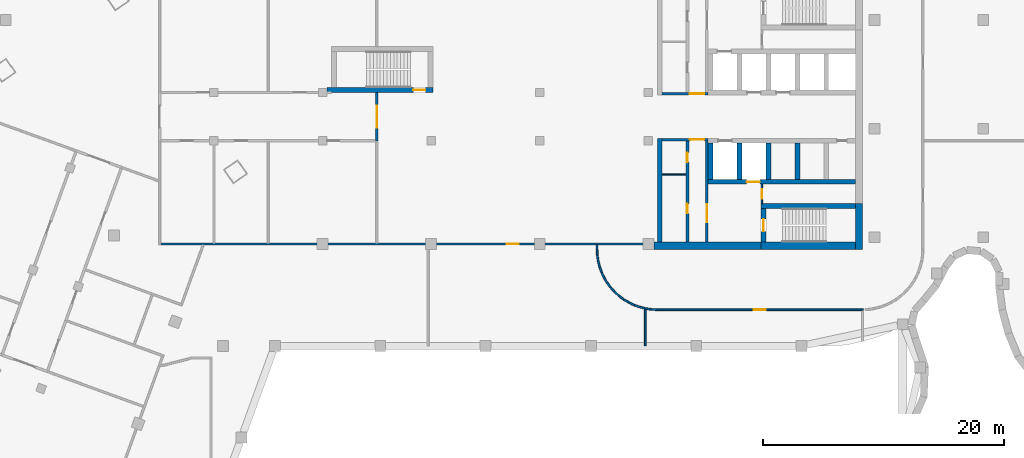
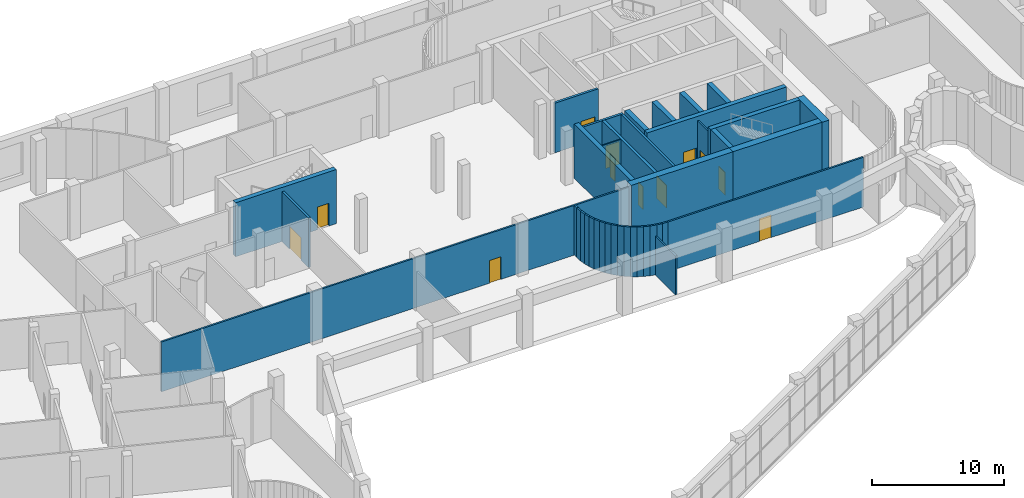
# One storey, part 14 of 25: 39 walls, 12 doors, 12 openings.
"""IFC4 building model written with IfcOpenShell, lengths in metres."""

from ifc_helpers import new_model, si_unit, direction, frame, frame_2d, origin, place, context, subcontext, project, spatial, rectangle, extrude, material, layer, layer_set, type_object, element, fill, save


model = new_model("IFC4")

# Units and contexts
model_context = context("Model", 3, precision=1e-05, world=origin(), true_north=direction((0.0, 1.0)))
body_context = subcontext(model_context, "Body", "Model", "MODEL_VIEW")
ifc_project = project(units=[si_unit("LENGTHUNIT", "METRE"), si_unit("AREAUNIT", "SQUARE_METRE"), si_unit("VOLUMEUNIT", "CUBIC_METRE"), si_unit("PLANEANGLEUNIT", "RADIAN"), si_unit("MASSUNIT", "GRAM", prefix="KILO")], contexts=[model_context])

# Site, building, storey
site_placement = place(None, origin())
site = spatial("IfcSite", under=ifc_project, at=site_placement, CompositionType="ELEMENT")
building_placement = place(site_placement, origin())
building = spatial("IfcBuilding", under=site, at=building_placement, Name="Skarvind Civic Tower", CompositionType="ELEMENT")
storey_placement = place(building_placement, frame((0.0, 0.0, 7.5)))
storey = spatial("IfcBuildingStorey", under=building, at=storey_placement, Name="L01", CompositionType="ELEMENT", Elevation=7.5)

# Wall, opening, door
ifc_material_1 = material(Name="Fire-rated masonry partition", Category="masonry")
ifc_layer_1 = layer(ifc_material_1, 0.199951171875)
ifc_layer_set_1 = layer_set([ifc_layer_1], Name="Core enclosure wall 200")
wall_type_1 = type_object("IfcWallType", Name="Core enclosure wall 200", PredefinedType="PARTITIONING", material=ifc_layer_set_1)
wall_1_placement = place(storey_placement, frame((95.199951171875, 126.10009765625, 0.0), z_axis=(0.0, 0.0, 1.0), x_axis=(-1.0, 0.0, 0.0)))
wall_1 = element("IfcWall", 1, at=wall_1_placement, inside=storey, type_object=wall_type_1, Name="Core wall C1", PredefinedType="PARTITIONING", context=body_context, shape_type="SweptSolid", body=[
    extrude(rectangle(XDim=3.800048828125, YDim=0.199951171875, at=frame_2d((1.89990234375, 0.0))), origin(), (0.0, 0.0, 1.0), 4.60009765625),
])
opening_1_placement = place(wall_1_placement, frame((0.300048828125, 0.0, 0.0)))
opening_1 = element("IfcOpeningElement", 2, at=opening_1_placement, cuts=wall_1, Name="Opening D-L01-C1-05", PredefinedType="OPENING", context=body_context, shape_type="SweptSolid", body=[
    extrude(rectangle(XDim=1.199951171875, YDim=2.10009765625, at=frame_2d((0.60009765625, 1.050048828125))), frame((0.0, 0.10986328125, 0.0), z_axis=(0.0, -1.0, 0.0), x_axis=(1.0, 0.0, 0.0)), (0.0, 0.0, 1.0), 0.219970703125),
])
ifc_material_2 = material(Name="Fire-rated steel door", Category="steel")
door_type_1 = type_object("IfcDoorType", Name="Core lobby door 1200", OperationType="NOTDEFINED", PredefinedType="DOOR", material=ifc_material_2)
door_1_placement = place(opening_1_placement, origin())
door_1 = element("IfcDoor", 3, at=door_1_placement, inside=storey, type_object=door_type_1, Name="Fire door", OperationType="DOUBLE_DOOR_SINGLE_SWING", OverallHeight=2.10009765625, OverallWidth=1.199951171875, PredefinedType="DOOR", context=body_context, shape_type="SweptSolid", body=[
    extrude(rectangle(XDim=1.199951171875, YDim=2.10009765625, at=frame_2d((0.60009765625, 1.050048828125))), frame((0.0, 0.02490234375, 0.0), z_axis=(0.0, -1.0, 0.0), x_axis=(1.0, 0.0, 0.0)), (0.0, 0.0, 1.0), 0.050048828125),
])
fill(opening_1, door_1)

wall_2_placement = place(storey_placement, frame((95.10009765625, 117.60009765625, 0.0), z_axis=(0.0, 0.0, 1.0), x_axis=(0.0, 1.0, 0.0)))
wall_2 = element("IfcWall", 4, at=wall_2_placement, inside=storey, type_object=wall_type_1, Name="Core wall C1", PredefinedType="PARTITIONING", context=body_context, shape_type="SweptSolid", body=[
    extrude(rectangle(XDim=8.39990234375, YDim=0.199951171875, at=frame_2d((4.199951171875, 0.0))), origin(), (0.0, 0.0, 1.0), 4.60009765625),
])
opening_2_placement = place(wall_2_placement, frame((1.64990234375, 0.0, 0.0)))
opening_2 = element("IfcOpeningElement", 5, at=opening_2_placement, cuts=wall_2, Name="Opening D-L01-C1-06", PredefinedType="OPENING", context=body_context, shape_type="SweptSolid", body=[
    extrude(rectangle(XDim=1.5, YDim=2.10009765625, at=frame_2d((0.75, 1.050048828125))), frame((0.0, 0.10986328125, 0.0), z_axis=(0.0, -1.0, 0.0), x_axis=(1.0, 0.0, 0.0)), (0.0, 0.0, 1.0), 0.219970703125),
])
door_type_2 = type_object("IfcDoorType", Name="Fire door 1500", OperationType="NOTDEFINED", PredefinedType="DOOR", material=ifc_material_2)
door_2_placement = place(opening_2_placement, origin())
door_2 = element("IfcDoor", 6, at=door_2_placement, inside=storey, type_object=door_type_2, Name="Fire door", OperationType="DOUBLE_DOOR_SINGLE_SWING", OverallHeight=2.10009765625, OverallWidth=1.5, PredefinedType="DOOR", context=body_context, shape_type="SweptSolid", body=[
    extrude(rectangle(XDim=1.5, YDim=2.10009765625, at=frame_2d((0.75, 1.050048828125))), frame((0.0, 0.02490234375, 0.0), z_axis=(0.0, -1.0, 0.0), x_axis=(1.0, 0.0, 0.0)), (0.0, 0.0, 1.0), 0.050048828125),
])
fill(opening_2, door_2)

wall_3_placement = place(storey_placement, frame((91.39990234375, 129.89990234375, 0.0), z_axis=(0.0, 0.0, 1.0), x_axis=(1.0, 0.0, 0.0)))
wall_3 = element("IfcWall", 7, at=wall_3_placement, inside=storey, type_object=wall_type_1, Name="Core wall C1", PredefinedType="PARTITIONING", context=body_context, shape_type="SweptSolid", body=[
    extrude(rectangle(XDim=3.800048828125, YDim=0.199951171875, at=frame_2d((1.89990234375, 0.0))), origin(), (0.0, 0.0, 1.0), 4.60009765625),
])
opening_3_placement = place(wall_3_placement, frame((2.300048828125, 0.0, 0.0)))
opening_3 = element("IfcOpeningElement", 8, at=opening_3_placement, cuts=wall_3, Name="Opening D-L01-C1-11", PredefinedType="OPENING", context=body_context, shape_type="SweptSolid", body=[
    extrude(rectangle(XDim=1.199951171875, YDim=2.10009765625, at=frame_2d((0.60009765625, 1.050048828125))), frame((0.0, 0.10986328125, 0.0), z_axis=(0.0, -1.0, 0.0), x_axis=(1.0, 0.0, 0.0)), (0.0, 0.0, 1.0), 0.219970703125),
])
door_3_placement = place(opening_3_placement, origin())
door_3 = element("IfcDoor", 9, at=door_3_placement, inside=storey, type_object=door_type_1, Name="Fire door", OperationType="DOUBLE_DOOR_SINGLE_SWING", OverallHeight=2.10009765625, OverallWidth=1.199951171875, PredefinedType="DOOR", context=body_context, shape_type="SweptSolid", body=[
    extrude(rectangle(XDim=1.199951171875, YDim=2.10009765625, at=frame_2d((0.60009765625, 1.050048828125))), frame((0.0, 0.02490234375, 0.0), z_axis=(0.0, -1.0, 0.0), x_axis=(1.0, 0.0, 0.0)), (0.0, 0.0, 1.0), 0.050048828125),
])
fill(opening_3, door_3)

# Walls
ifc_material_3 = material(Name="Fire-rated plasterboard partition")
ifc_layer_2 = layer(ifc_material_3, 0.10009765625)
ifc_layer_set_2 = layer_set([ifc_layer_2], Name="Core partition wall 100")
wall_type_2 = type_object("IfcWallType", Name="Core partition wall 100", PredefinedType="PARTITIONING", material=ifc_layer_set_2)
wall_4_placement = place(storey_placement, frame((93.35009765625, 123.199951171875, 0.0), z_axis=(0.0, 0.0, 1.0), x_axis=(-1.0, 0.0, 0.0)))
element("IfcWall", 10, at=wall_4_placement, inside=storey, type_object=wall_type_2, Name="Core wall C1", PredefinedType="PARTITIONING", context=body_context, shape_type="SweptSolid", body=[
    extrude(rectangle(XDim=1.9501953125, YDim=0.10009765625, at=frame_2d((0.97509765625, 0.0))), origin(), (0.0, 0.0, 1.0), 4.60009765625),
])
ifc_material_4 = material(Name="Concrete C80", Category="concrete")
ifc_layer_3 = layer(ifc_material_4, 0.39990234375)
ifc_layer_set_3 = layer_set([ifc_layer_3], Name="Core wall 400 C80")
wall_type_3 = type_object("IfcWallType", Name="Core wall 400 C80", PredefinedType="SHEAR", material=ifc_layer_set_3)
wall_5_placement = place(storey_placement, frame((107.39990234375, 120.60009765625, 0.0), z_axis=(0.0, 0.0, 1.0), x_axis=(-1.0, 0.0, 0.0)))
element("IfcWall", 11, at=wall_5_placement, inside=storey, type_object=wall_type_3, Name="Core wall C1 north stair inner L01", PredefinedType="SHEAR", context=body_context, shape_type="SweptSolid", body=[
    extrude(rectangle(XDim=7.7998046875, YDim=0.39990234375, at=frame_2d((3.89990234375, 0.0))), origin(), (0.0, 0.0, 1.0), 5.0),
])

# Wall, opening, door
wall_6_placement = place(storey_placement, frame((99.800048828125, 120.39990234375, 0.0), z_axis=(0.0, 0.0, 1.0), x_axis=(0.0, -1.0, 0.0)))
wall_6 = element("IfcWall", 12, at=wall_6_placement, inside=storey, type_object=wall_type_3, Name="Core wall C1 north stair end L01", PredefinedType="SHEAR", context=body_context, shape_type="SweptSolid", body=[
    extrude(rectangle(XDim=2.7998046875, YDim=0.39990234375, at=frame_2d((1.39990234375, 0.0))), origin(), (0.0, 0.0, 1.0), 5.0),
])
opening_4_placement = place(wall_6_placement, frame((0.89990234375, 0.0, 0.0)))
opening_4 = element("IfcOpeningElement", 13, at=opening_4_placement, cuts=wall_6, Name="Opening D-L01-C1-07", PredefinedType="OPENING", context=body_context, shape_type="SweptSolid", body=[
    extrude(rectangle(XDim=1.0, YDim=2.10009765625, at=frame_2d((0.5, 1.050048828125))), frame((0.0, 0.2099609375, 0.0), z_axis=(0.0, -1.0, 0.0), x_axis=(1.0, 0.0, 0.0)), (0.0, 0.0, 1.0), 0.419921875),
])
door_type_3 = type_object("IfcDoorType", Name="Fire door 1000", OperationType="NOTDEFINED", PredefinedType="DOOR", material=ifc_material_2)
door_4_placement = place(opening_4_placement, origin())
door_4 = element("IfcDoor", 14, at=door_4_placement, inside=storey, type_object=door_type_3, Name="Fire door", OperationType="SINGLE_SWING_LEFT", OverallHeight=2.10009765625, OverallWidth=1.0, PredefinedType="DOOR", context=body_context, shape_type="SweptSolid", body=[
    extrude(rectangle(XDim=1.0, YDim=2.10009765625, at=frame_2d((0.5, 1.050048828125))), frame((0.0, 0.02490234375, 0.0), z_axis=(0.0, -1.0, 0.0), x_axis=(1.0, 0.0, 0.0)), (0.0, 0.0, 1.0), 0.050048828125),
])
fill(opening_4, door_4)

wall_7_placement = place(storey_placement, frame((107.39990234375, 122.60009765625, 0.0), z_axis=(0.0, 0.0, 1.0), x_axis=(-1.0, 0.0, 0.0)))
wall_7 = element("IfcWall", 15, at=wall_7_placement, inside=storey, type_object=wall_type_3, Name="Core wall C1 north lift row back L01", PredefinedType="SHEAR", context=body_context, shape_type="SweptSolid", body=[
    extrude(rectangle(XDim=12.199951171875, YDim=0.39990234375, at=frame_2d((6.10009765625, 0.0))), origin(), (0.0, 0.0, 1.0), 5.0),
])
opening_5_placement = place(wall_7_placement, frame((7.89990234375, 0.0, 0.0)))
opening_5 = element("IfcOpeningElement", 16, at=opening_5_placement, cuts=wall_7, Name="Opening LD03104", PredefinedType="OPENING", context=body_context, shape_type="SweptSolid", body=[
    extrude(rectangle(XDim=1.10009765625, YDim=2.10009765625, at=frame_2d((0.550048828125, 1.050048828125))), frame((0.0, 0.2099609375, 0.0), z_axis=(0.0, -1.0, 0.0), x_axis=(1.0, 0.0, 0.0)), (0.0, 0.0, 1.0), 0.419921875),
])
ifc_material_5 = material(Name="Stainless steel landing door", Category="steel")
door_type_4 = type_object("IfcDoorType", Name="Lift landing door 1100", OperationType="DOUBLE_DOOR_SLIDING", PredefinedType="DOOR", material=ifc_material_5)
door_5_placement = place(opening_5_placement, origin())
door_5 = element("IfcDoor", 17, at=door_5_placement, inside=storey, type_object=door_type_4, Name="Lift landing door", OperationType="DOUBLE_DOOR_SLIDING", OverallHeight=2.10009765625, OverallWidth=1.10009765625, PredefinedType="DOOR", context=body_context, shape_type="SweptSolid", body=[
    extrude(rectangle(XDim=1.10009765625, YDim=2.10009765625, at=frame_2d((0.550048828125, 1.050048828125))), frame((0.0, 0.02490234375, 0.0), z_axis=(0.0, -1.0, 0.0), x_axis=(1.0, 0.0, 0.0)), (0.0, 0.0, 1.0), 0.050048828125),
])
fill(opening_5, door_5)

# Walls
for number, where, z_axis, x_axis, name in (
    (18, (102.60009765625, 125.800048828125, 0.0), (0.0, 0.0, 1.0), (0.0, -1.0, 0.0), "Core wall C1 north lift row division 2 L01"),
    (19, (100.199951171875, 125.800048828125, 0.0), (0.0, 0.0, 1.0), (0.0, -1.0, 0.0), "Core wall C1 north lift row division 3 L01"),
    (20, (97.800048828125, 125.800048828125, 0.0), (0.0, 0.0, 1.0), (0.0, -1.0, 0.0), "Core wall C1 north lift row division 4 L01"),
    (21, (95.39990234375, 125.800048828125, 0.0), (0.0, 0.0, 1.0), (0.0, -1.0, 0.0), "Core wall C1 north lift row division 5 L01"),
):
    element("IfcWall", number, at=place(storey_placement, frame(where, z_axis=z_axis, x_axis=x_axis)), inside=storey, type_object=wall_type_3, Name=name, PredefinedType="SHEAR", context=body_context, shape_type="SweptSolid", body=[
        extrude(rectangle(XDim=3.0, YDim=0.39990234375, at=frame_2d((1.5, 0.0))), origin(), (0.0, 0.0, 1.0), 5.0),
    ])
wall_8_placement = place(storey_placement, frame((91.199951171875, 126.199951171875, 0.0), z_axis=(0.0, 0.0, 1.0), x_axis=(0.0, -1.0, 0.0)))
element("IfcWall", 22, at=wall_8_placement, inside=storey, type_object=wall_type_3, Name="Core wall C1 north inner face L01", PredefinedType="SHEAR", context=body_context, shape_type="SweptSolid", body=[
    extrude(rectangle(XDim=8.599853515625, YDim=0.39990234375, at=frame_2d((4.2998046875, 0.0))), origin(), (0.0, 0.0, 1.0), 5.0),
])

# Wall, opening, door
wall_9_placement = place(storey_placement, frame((63.60009765625, 130.199951171875, 0.0), z_axis=(0.0, 0.0, 1.0), x_axis=(1.0, 0.0, 0.0)))
wall_9 = element("IfcWall", 23, at=wall_9_placement, inside=storey, type_object=wall_type_3, Name="Core wall CM inner L01", PredefinedType="SHEAR", context=body_context, shape_type="SweptSolid", body=[
    extrude(rectangle(XDim=8.7998046875, YDim=0.39990234375, at=frame_2d((4.39990234375, 0.0))), origin(), (0.0, 0.0, 1.0), 5.0),
])
opening_6_placement = place(wall_9_placement, frame((7.175048828125, 0.0, 0.0)))
opening_6 = element("IfcOpeningElement", 24, at=opening_6_placement, cuts=wall_9, Name="Opening D-L01-CM-01", PredefinedType="OPENING", context=body_context, shape_type="SweptSolid", body=[
    extrude(rectangle(XDim=1.0, YDim=2.10009765625, at=frame_2d((0.5, 1.050048828125))), frame((0.0, 0.2099609375, 0.0), z_axis=(0.0, -1.0, 0.0), x_axis=(1.0, 0.0, 0.0)), (0.0, 0.0, 1.0), 0.419921875),
])
door_6_placement = place(opening_6_placement, origin())
door_6 = element("IfcDoor", 25, at=door_6_placement, inside=storey, type_object=door_type_3, Name="Fire door", OperationType="SINGLE_SWING_LEFT", OverallHeight=2.10009765625, OverallWidth=1.0, PredefinedType="DOOR", context=body_context, shape_type="SweptSolid", body=[
    extrude(rectangle(XDim=1.0, YDim=2.10009765625, at=frame_2d((0.5, 1.050048828125))), frame((0.0, 0.02490234375, 0.0), z_axis=(0.0, -1.0, 0.0), x_axis=(1.0, 0.0, 0.0)), (0.0, 0.0, 1.0), 0.050048828125),
])
fill(opening_6, door_6)

# Walls
ifc_layer_4 = layer(ifc_material_4, 0.60009765625)
ifc_layer_set_4 = layer_set([ifc_layer_4], Name="Core wall 600 C80")
wall_type_4 = type_object("IfcWallType", Name="Core wall 600 C80", PredefinedType="SHEAR", material=ifc_layer_set_4)
wall_10_placement = place(storey_placement, frame((107.699951171875, 120.800048828125, 0.0), z_axis=(0.0, 0.0, 1.0), x_axis=(0.0, -1.0, 0.0)))
element("IfcWall", 26, at=wall_10_placement, inside=storey, type_object=wall_type_4, Name="Core wall C1 tip at the north stair L01", PredefinedType="SHEAR", context=body_context, shape_type="SweptSolid", body=[
    extrude(rectangle(XDim=3.800048828125, YDim=0.60009765625, at=frame_2d((1.89990234375, 0.0))), origin(), (0.0, 0.0, 1.0), 5.0),
])
wall_11_placement = place(storey_placement, frame((107.39990234375, 117.300048828125, 0.0), z_axis=(0.0, 0.0, 1.0), x_axis=(-1.0, 0.0, 0.0)))
element("IfcWall", 27, at=wall_11_placement, inside=storey, type_object=wall_type_4, Name="Core wall C1 north side at the stair L01", PredefinedType="SHEAR", context=body_context, shape_type="SweptSolid", body=[
    extrude(rectangle(XDim=7.7998046875, YDim=0.60009765625, at=frame_2d((3.89990234375, 0.0))), origin(), (0.0, 0.0, 1.0), 5.0),
])
wall_12_placement = place(storey_placement, frame((99.60009765625, 117.300048828125, 0.0), z_axis=(0.0, 0.0, 1.0), x_axis=(-1.0, 0.0, 0.0)))
element("IfcWall", 28, at=wall_12_placement, inside=storey, type_object=wall_type_4, Name="Core wall C1 north side L01", PredefinedType="SHEAR", context=body_context, shape_type="SweptSolid", body=[
    extrude(rectangle(XDim=8.900146484375, YDim=0.60009765625, at=frame_2d((4.4501953125, 0.0))), origin(), (0.0, 0.0, 1.0), 5.0),
])

# Wall, opening, door
ifc_material_6 = material(Name="Fire-rated blockwork wall, plastered", Category="masonry")
ifc_layer_5 = layer(ifc_material_6, 0.199951171875)
ifc_layer_set_5 = layer_set([ifc_layer_5], Name="FIRE WALL 200 EI 60")
wall_type_5 = type_object("IfcWallType", Name="FIRE WALL 200 EI 60", PredefinedType="PARTITIONING", material=ifc_layer_set_5)
wall_13_placement = place(storey_placement, frame((67.75, 130.0, 0.0), z_axis=(0.0, 0.0, 1.0), x_axis=(0.0, -1.0, 0.0)))
wall_13 = element("IfcWall", 29, at=wall_13_placement, inside=storey, type_object=wall_type_5, Name="Podium partition L01 118", PredefinedType="PARTITIONING", context=body_context, shape_type="SweptSolid", body=[
    extrude(rectangle(XDim=4.0, YDim=0.199951171875, at=frame_2d((2.0, 0.0))), origin(), (0.0, 0.0, 1.0), 4.60009765625),
])
opening_7_placement = place(wall_13_placement, frame((1.10009765625, 0.0, 0.0)))
opening_7 = element("IfcOpeningElement", 30, at=opening_7_placement, cuts=wall_13, Name="Opening L01-D220", PredefinedType="OPENING", context=body_context, shape_type="SweptSolid", body=[
    extrude(rectangle(XDim=1.800048828125, YDim=2.10009765625, at=frame_2d((0.89990234375, 1.050048828125))), frame((0.0, 0.10986328125, 0.0), z_axis=(0.0, -1.0, 0.0), x_axis=(1.0, 0.0, 0.0)), (0.0, 0.0, 1.0), 0.219970703125),
])
ifc_material_7 = material(Name="Painted steel fire door leaf", Category="steel")
door_type_5 = type_object("IfcDoorType", Name="FIRE DOOR 1800X2100 DOUBLE STEEL", OperationType="NOTDEFINED", PredefinedType="DOOR", material=ifc_material_7)
door_7_placement = place(opening_7_placement, origin())
door_7 = element("IfcDoor", 31, at=door_7_placement, inside=storey, type_object=door_type_5, Name="FIRE DOOR", OperationType="DOUBLE_DOOR_SINGLE_SWING", OverallHeight=2.10009765625, OverallWidth=1.800048828125, PredefinedType="DOOR", context=body_context, shape_type="SweptSolid", body=[
    extrude(rectangle(XDim=1.800048828125, YDim=2.10009765625, at=frame_2d((0.89990234375, 1.050048828125))), frame((0.0, 0.02490234375, 0.0), z_axis=(0.0, -1.0, 0.0), x_axis=(1.0, 0.0, 0.0)), (0.0, 0.0, 1.0), 0.050048828125),
])
fill(opening_7, door_7)

ifc_material_8 = material(Name="Plasterboard partition on steel studs", Category="steel")
ifc_layer_6 = layer(ifc_material_8, 0.14990234375)
ifc_layer_set_6 = layer_set([ifc_layer_6], Name="PARTITION 150")
wall_type_6 = type_object("IfcWallType", Name="PARTITION 150", PredefinedType="PARTITIONING", material=ifc_layer_set_6)
wall_14_placement = place(storey_placement, frame((91.0, 117.449951171875, 0.0), z_axis=(0.0, 0.0, 1.0), x_axis=(-1.0, 0.0, 0.0)))
wall_14 = element("IfcWall", 32, at=wall_14_placement, inside=storey, type_object=wall_type_6, Name="Podium partition L01 089", PredefinedType="PARTITIONING", context=body_context, shape_type="SweptSolid", body=[
    extrude(rectangle(XDim=41.175048828125, YDim=0.14990234375, at=frame_2d((20.58740234375, 0.0))), origin(), (0.0, 0.0, 1.0), 4.60009765625),
])
opening_8_placement = place(wall_14_placement, frame((11.5, 0.0, 0.0)))
opening_8 = element("IfcOpeningElement", 33, at=opening_8_placement, cuts=wall_14, Name="Opening L01-D221", PredefinedType="OPENING", context=body_context, shape_type="SweptSolid", body=[
    extrude(rectangle(XDim=1.0, YDim=2.10009765625, at=frame_2d((0.5, 1.050048828125))), frame((0.0, 0.0849609375, 0.0), z_axis=(0.0, -1.0, 0.0), x_axis=(1.0, 0.0, 0.0)), (0.0, 0.0, 1.0), 0.169921875),
])
ifc_material_9 = material(Name="Timber veneer door leaf", Category="wood")
door_type_6 = type_object("IfcDoorType", Name="DOOR 1000X2100 TIMBER", OperationType="NOTDEFINED", PredefinedType="DOOR", material=ifc_material_9)
door_8_placement = place(opening_8_placement, origin())
door_8 = element("IfcDoor", 34, at=door_8_placement, inside=storey, type_object=door_type_6, Name="DOOR DOOR", OperationType="SINGLE_SWING_RIGHT", OverallHeight=2.10009765625, OverallWidth=1.0, PredefinedType="DOOR", context=body_context, shape_type="SweptSolid", body=[
    extrude(rectangle(XDim=1.0, YDim=2.10009765625, at=frame_2d((0.5, 1.050048828125))), frame((0.0, 0.02490234375, 0.0), z_axis=(0.0, -1.0, 0.0), x_axis=(1.0, 0.0, 0.0)), (0.0, 0.0, 1.0), 0.050048828125),
])
fill(opening_8, door_8)

# Walls
wall_15_placement = place(storey_placement, frame((86.0, 116.998046875, 0.0), z_axis=(0.0, 0.0, 1.0), x_axis=(0.0, 1.0, 0.0)))
element("IfcWall", 35, at=wall_15_placement, inside=storey, type_object=wall_type_6, Name="Podium partition L01 128", PredefinedType="PARTITIONING", context=body_context, shape_type="SweptSolid", body=[
    extrude(rectangle(XDim=0.376953125, YDim=0.14990234375, at=frame_2d((0.1884765625, 0.0))), origin(), (0.0, 0.0, 1.0), 4.60009765625),
])
wall_16_placement = place(storey_placement, frame((86.0, 117.001953125, 0.0), z_axis=(0.0, 0.0, 1.0), x_axis=(0.048196018647, -0.998837896651, 0.0)))
element("IfcWall", 36, at=wall_16_placement, inside=storey, type_object=wall_type_6, Name="Podium partition L01 129", PredefinedType="PARTITIONING", context=body_context, shape_type="SweptSolid", body=[
    extrude(rectangle(XDim=0.496337890625, YDim=0.14990234375, at=frame_2d((0.248046875, 0.0))), origin(), (0.0, 0.0, 1.0), 4.60009765625),
])
wall_17_placement = place(storey_placement, frame((86.02294921875, 116.513916015625, 0.0), z_axis=(0.0, 0.0, 1.0), x_axis=(0.148412307247, -0.988925572052, 0.0)))
element("IfcWall", 37, at=wall_17_placement, inside=storey, type_object=wall_type_6, Name="Podium partition L01 132", PredefinedType="PARTITIONING", context=body_context, shape_type="SweptSolid", body=[
    extrude(rectangle(XDim=0.49853515625, YDim=0.14990234375, at=frame_2d((0.249267578125, 0.0))), origin(), (0.0, 0.0, 1.0), 4.60009765625),
])
wall_18_placement = place(storey_placement, frame((86.094970703125, 116.029052734375, 0.0), z_axis=(0.0, 0.0, 1.0), x_axis=(0.242650732785, -0.970113715952, 0.0)))
element("IfcWall", 38, at=wall_18_placement, inside=storey, type_object=wall_type_6, Name="Podium partition L01 134", PredefinedType="PARTITIONING", context=body_context, shape_type="SweptSolid", body=[
    extrude(rectangle(XDim=0.4990234375, YDim=0.14990234375, at=frame_2d((0.24951171875, 0.0))), origin(), (0.0, 0.0, 1.0), 4.60009765625),
])
for number, where, z_axis, x_axis, name in (
    (39, (86.214111328125, 115.552978515625, 0.0), (0.0, 0.0, 1.0), (0.3371744988, -0.941442168887, 0.0), "Podium partition L01 136"),
    (40, (86.37890625, 115.090087890625, 0.0), (0.0, 0.0, 1.0), (0.427896709028, -0.903827641978, 0.0), "Podium partition L01 138"),
):
    element("IfcWall", number, at=place(storey_placement, frame(where, z_axis=z_axis, x_axis=x_axis)), inside=storey, type_object=wall_type_6, Name=name, PredefinedType="PARTITIONING", context=body_context, shape_type="SweptSolid", body=[
        extrude(rectangle(XDim=0.498046875, YDim=0.14990234375, at=frame_2d((0.2490234375, 0.0))), origin(), (0.0, 0.0, 1.0), 4.60009765625),
    ])
wall_19_placement = place(storey_placement, frame((86.587890625, 114.64599609375, 0.0), z_axis=(0.0, 0.0, 1.0), x_axis=(0.515791778052, -0.85671397893, 0.0)))
element("IfcWall", 41, at=wall_19_placement, inside=storey, type_object=wall_type_6, Name="Podium partition L01 140", PredefinedType="PARTITIONING", context=body_context, shape_type="SweptSolid", body=[
    extrude(rectangle(XDim=0.49853515625, YDim=0.14990234375, at=frame_2d((0.249267578125, 0.0))), origin(), (0.0, 0.0, 1.0), 4.60009765625),
])
wall_20_placement = place(storey_placement, frame((86.841064453125, 114.22509765625, 0.0), z_axis=(0.0, 0.0, 1.0), x_axis=(0.594570362092, -0.80404358372, 0.0)))
element("IfcWall", 42, at=wall_20_placement, inside=storey, type_object=wall_type_6, Name="Podium partition L01 142", PredefinedType="PARTITIONING", context=body_context, shape_type="SweptSolid", body=[
    extrude(rectangle(XDim=0.49755859375, YDim=0.14990234375, at=frame_2d((0.248779296875, 0.0))), origin(), (0.0, 0.0, 1.0), 4.60009765625),
])
for number, where, z_axis, x_axis, name in (
    (43, (87.133056640625, 113.8310546875, 0.0), (0.0, 0.0, 1.0), (0.66993818776, -0.742416880587, 0.0), "Podium partition L01 144"),
    (44, (87.4609375, 113.467041015625, 0.0), (0.0, 0.0, 1.0), (0.742416880587, -0.66993818776, 0.0), "Podium partition L01 146"),
):
    element("IfcWall", number, at=place(storey_placement, frame(where, z_axis=z_axis, x_axis=x_axis)), inside=storey, type_object=wall_type_6, Name=name, PredefinedType="PARTITIONING", context=body_context, shape_type="SweptSolid", body=[
        extrude(rectangle(XDim=0.49853515625, YDim=0.14990234375, at=frame_2d((0.249267578125, 0.0))), origin(), (0.0, 0.0, 1.0), 4.60009765625),
    ])
wall_21_placement = place(storey_placement, frame((87.824951171875, 113.136962890625, 0.0), z_axis=(0.0, 0.0, 1.0), x_axis=(0.80404358372, -0.594570362092, 0.0)))
element("IfcWall", 45, at=wall_21_placement, inside=storey, type_object=wall_type_6, Name="Podium partition L01 148", PredefinedType="PARTITIONING", context=body_context, shape_type="SweptSolid", body=[
    extrude(rectangle(XDim=0.49755859375, YDim=0.14990234375, at=frame_2d((0.248779296875, 0.0))), origin(), (0.0, 0.0, 1.0), 4.60009765625),
])
wall_22_placement = place(storey_placement, frame((88.218994140625, 112.844970703125, 0.0), z_axis=(0.0, 0.0, 1.0), x_axis=(0.85671397893, -0.515791778052, 0.0)))
element("IfcWall", 46, at=wall_22_placement, inside=storey, type_object=wall_type_6, Name="Podium partition L01 150", PredefinedType="PARTITIONING", context=body_context, shape_type="SweptSolid", body=[
    extrude(rectangle(XDim=0.49853515625, YDim=0.14990234375, at=frame_2d((0.249267578125, 0.0))), origin(), (0.0, 0.0, 1.0), 4.60009765625),
])
for number, where, z_axis, x_axis, name in (
    (47, (88.639892578125, 112.592041015625, 0.0), (0.0, 0.0, 1.0), (0.903827641978, -0.427896709028, 0.0), "Podium partition L01 152"),
    (48, (89.083984375, 112.382080078125, 0.0), (0.0, 0.0, 1.0), (0.941442168887, -0.3371744988, 0.0), "Podium partition L01 154"),
):
    element("IfcWall", number, at=place(storey_placement, frame(where, z_axis=z_axis, x_axis=x_axis)), inside=storey, type_object=wall_type_6, Name=name, PredefinedType="PARTITIONING", context=body_context, shape_type="SweptSolid", body=[
        extrude(rectangle(XDim=0.498046875, YDim=0.14990234375, at=frame_2d((0.2490234375, 0.0))), origin(), (0.0, 0.0, 1.0), 4.60009765625),
    ])
wall_23_placement = place(storey_placement, frame((89.544921875, 112.216064453125, 0.0), z_axis=(0.0, 0.0, 1.0), x_axis=(0.970116111764, -0.242641154168, 0.0)))
element("IfcWall", 49, at=wall_23_placement, inside=storey, type_object=wall_type_6, Name="Podium partition L01 156", PredefinedType="PARTITIONING", context=body_context, shape_type="SweptSolid", body=[
    extrude(rectangle(XDim=0.54443359375, YDim=0.14990234375, at=frame_2d((0.272216796875, 0.0))), origin(), (0.0, 0.0, 1.0), 4.60009765625),
])
wall_24_placement = place(storey_placement, frame((90.0, 109.0, 0.0), z_axis=(0.0, 0.0, 1.0), x_axis=(0.0, 1.0, 0.0)))
element("IfcWall", 50, at=wall_24_placement, inside=storey, type_object=wall_type_6, Name="Podium partition L01 158", PredefinedType="PARTITIONING", context=body_context, shape_type="SweptSolid", body=[
    extrude(rectangle(XDim=3.02490234375, YDim=0.14990234375, at=frame_2d((1.512451171875, 0.0))), origin(), (0.0, 0.0, 1.0), 3.60009765625),
])
wall_25_placement = place(storey_placement, frame((90.02490234375, 112.095947265625, 0.0), z_axis=(0.0, 0.0, 1.0), x_axis=(0.989041138834, -0.147640189971, 0.0)))
element("IfcWall", 51, at=wall_25_placement, inside=storey, type_object=wall_type_6, Name="Podium partition L01 160", PredefinedType="PARTITIONING", context=body_context, shape_type="SweptSolid", body=[
    extrude(rectangle(XDim=0.494384765625, YDim=0.14990234375, at=frame_2d((0.2470703125, 0.0))), origin(), (0.0, 0.0, 1.0), 4.60009765625),
])
wall_26_placement = place(storey_placement, frame((90.506103515625, 112.02392578125, 0.0), z_axis=(0.0, 0.0, 1.0), x_axis=(0.998837896651, -0.048196018647, 0.0)))
element("IfcWall", 52, at=wall_26_placement, inside=storey, type_object=wall_type_6, Name="Podium partition L01 161", PredefinedType="PARTITIONING", context=body_context, shape_type="SweptSolid", body=[
    extrude(rectangle(XDim=0.496337890625, YDim=0.14990234375, at=frame_2d((0.248046875, 0.0))), origin(), (0.0, 0.0, 1.0), 4.60009765625),
])

# Wall, opening, door
wall_27_placement = place(storey_placement, frame((108.074951171875, 112.0, 0.0), z_axis=(0.0, 0.0, 1.0), x_axis=(-1.0, 0.0, 0.0)))
wall_27 = element("IfcWall", 53, at=wall_27_placement, inside=storey, type_object=wall_type_6, Name="Podium partition L01 162", PredefinedType="PARTITIONING", context=body_context, shape_type="SweptSolid", body=[
    extrude(rectangle(XDim=17.076904296875, YDim=0.14990234375, at=frame_2d((8.53857421875, 0.0))), origin(), (0.0, 0.0, 1.0), 4.60009765625),
])
opening_9_placement = place(wall_27_placement, frame((8.074951171875, 0.0, 0.0)))
opening_9 = element("IfcOpeningElement", 54, at=opening_9_placement, cuts=wall_27, Name="Opening L01-D224", PredefinedType="OPENING", context=body_context, shape_type="SweptSolid", body=[
    extrude(rectangle(XDim=1.0, YDim=2.10009765625, at=frame_2d((0.5, 1.050048828125))), frame((0.0, 0.0849609375, 0.0), z_axis=(0.0, -1.0, 0.0), x_axis=(1.0, 0.0, 0.0)), (0.0, 0.0, 1.0), 0.169921875),
])
door_9_placement = place(opening_9_placement, origin())
door_9 = element("IfcDoor", 55, at=door_9_placement, inside=storey, type_object=door_type_6, Name="DOOR DOOR", OperationType="SINGLE_SWING_RIGHT", OverallHeight=2.10009765625, OverallWidth=1.0, PredefinedType="DOOR", context=body_context, shape_type="SweptSolid", body=[
    extrude(rectangle(XDim=1.0, YDim=2.10009765625, at=frame_2d((0.5, 1.050048828125))), frame((0.0, 0.02490234375, 0.0), z_axis=(0.0, -1.0, 0.0), x_axis=(1.0, 0.0, 0.0)), (0.0, 0.0, 1.0), 0.050048828125),
])
fill(opening_9, door_9)

ifc_layer_7 = layer(ifc_material_1, 0.125)
ifc_layer_set_7 = layer_set([ifc_layer_7], Name="Riser wall 125")
wall_type_7 = type_object("IfcWallType", Name="Riser wall 125", PredefinedType="PARTITIONING", material=ifc_layer_set_7)
wall_28_placement = place(storey_placement, frame((99.66259765625, 120.800048828125, 0.0), z_axis=(0.0, 0.0, 1.0), x_axis=(0.0, 1.0, 0.0)))
wall_28 = element("IfcWall", 56, at=wall_28_placement, inside=storey, type_object=wall_type_7, Name="Core wall C1", PredefinedType="PARTITIONING", context=body_context, shape_type="SweptSolid", body=[
    extrude(rectangle(XDim=1.599853515625, YDim=0.125, at=frame_2d((0.7998046875, 0.0))), origin(), (0.0, 0.0, 1.0), 4.60009765625),
])
opening_10_placement = place(wall_28_placement, frame((0.39990234375, 0.0, 0.0)))
opening_10 = element("IfcOpeningElement", 57, at=opening_10_placement, cuts=wall_28, Name="Opening D-L01-C1-08", PredefinedType="OPENING", context=body_context, shape_type="SweptSolid", body=[
    extrude(rectangle(XDim=0.800048828125, YDim=2.10009765625, at=frame_2d((0.39990234375, 1.050048828125))), frame((0.0, 0.072509765625, 0.0), z_axis=(0.0, -1.0, 0.0), x_axis=(1.0, 0.0, 0.0)), (0.0, 0.0, 1.0), 0.14501953125),
])
door_type_7 = type_object("IfcDoorType", Name="Core riser door 800", OperationType="NOTDEFINED", PredefinedType="DOOR", material=ifc_material_2)
door_10_placement = place(opening_10_placement, origin())
door_10 = element("IfcDoor", 58, at=door_10_placement, inside=storey, type_object=door_type_7, Name="Riser door", OperationType="SINGLE_SWING_RIGHT", OverallHeight=2.10009765625, OverallWidth=0.800048828125, PredefinedType="DOOR", context=body_context, shape_type="SweptSolid", body=[
    extrude(rectangle(XDim=0.800048828125, YDim=2.10009765625, at=frame_2d((0.39990234375, 1.050048828125))), frame((0.0, 0.02490234375, 0.0), z_axis=(0.0, -1.0, 0.0), x_axis=(1.0, 0.0, 0.0)), (0.0, 0.0, 1.0), 0.050048828125),
])
fill(opening_10, door_10)

# Wall, openings, doors
ifc_layer_8 = layer(ifc_material_1, 0.25)
ifc_layer_set_8 = layer_set([ifc_layer_8], Name="Service block wall 250")
wall_type_8 = type_object("IfcWallType", Name="Service block wall 250", PredefinedType="PARTITIONING", material=ifc_layer_set_8)
wall_29_placement = place(storey_placement, frame((93.47509765625, 117.60009765625, 0.0), z_axis=(0.0, 0.0, 1.0), x_axis=(0.0, 1.0, 0.0)))
wall_29 = element("IfcWall", 59, at=wall_29_placement, inside=storey, type_object=wall_type_8, Name="Core wall C1", PredefinedType="PARTITIONING", context=body_context, shape_type="SweptSolid", body=[
    extrude(rectangle(XDim=8.39990234375, YDim=0.25, at=frame_2d((4.199951171875, 0.0))), origin(), (0.0, 0.0, 1.0), 4.60009765625),
])
opening_11_placement = place(wall_29_placement, frame((6.625, 0.0, 0.0)))
opening_11 = element("IfcOpeningElement", 60, at=opening_11_placement, cuts=wall_29, Name="Opening D-L01-C1-09", PredefinedType="OPENING", context=body_context, shape_type="SweptSolid", body=[
    extrude(rectangle(XDim=0.800048828125, YDim=2.10009765625, at=frame_2d((0.39990234375, 1.050048828125))), frame((0.0, 0.135009765625, 0.0), z_axis=(0.0, -1.0, 0.0), x_axis=(1.0, 0.0, 0.0)), (0.0, 0.0, 1.0), 0.27001953125),
])
opening_12_placement = place(wall_29_placement, frame((2.375, 0.0, 0.0)))
opening_12 = element("IfcOpeningElement", 61, at=opening_12_placement, cuts=wall_29, Name="Opening D-L01-C1-10", PredefinedType="OPENING", context=body_context, shape_type="SweptSolid", body=[
    extrude(rectangle(XDim=0.800048828125, YDim=2.10009765625, at=frame_2d((0.39990234375, 1.050048828125))), frame((0.0, 0.135009765625, 0.0), z_axis=(0.0, -1.0, 0.0), x_axis=(1.0, 0.0, 0.0)), (0.0, 0.0, 1.0), 0.27001953125),
])
door_11_placement = place(opening_11_placement, origin())
door_11 = element("IfcDoor", 62, at=door_11_placement, inside=storey, type_object=door_type_7, Name="Riser door", OperationType="SINGLE_SWING_LEFT", OverallHeight=2.10009765625, OverallWidth=0.800048828125, PredefinedType="DOOR", context=body_context, shape_type="SweptSolid", body=[
    extrude(rectangle(XDim=0.800048828125, YDim=2.10009765625, at=frame_2d((0.39990234375, 1.050048828125))), frame((0.0, 0.02490234375, 0.0), z_axis=(0.0, -1.0, 0.0), x_axis=(1.0, 0.0, 0.0)), (0.0, 0.0, 1.0), 0.050048828125),
])
fill(opening_11, door_11)
door_12_placement = place(opening_12_placement, origin())
door_12 = element("IfcDoor", 63, at=door_12_placement, inside=storey, type_object=door_type_7, Name="Riser door", OperationType="SINGLE_SWING_RIGHT", OverallHeight=2.10009765625, OverallWidth=0.800048828125, PredefinedType="DOOR", context=body_context, shape_type="SweptSolid", body=[
    extrude(rectangle(XDim=0.800048828125, YDim=2.10009765625, at=frame_2d((0.39990234375, 1.050048828125))), frame((0.0, 0.02490234375, 0.0), z_axis=(0.0, -1.0, 0.0), x_axis=(1.0, 0.0, 0.0)), (0.0, 0.0, 1.0), 0.050048828125),
])
fill(opening_12, door_12)

save(model, "model.ifc")
